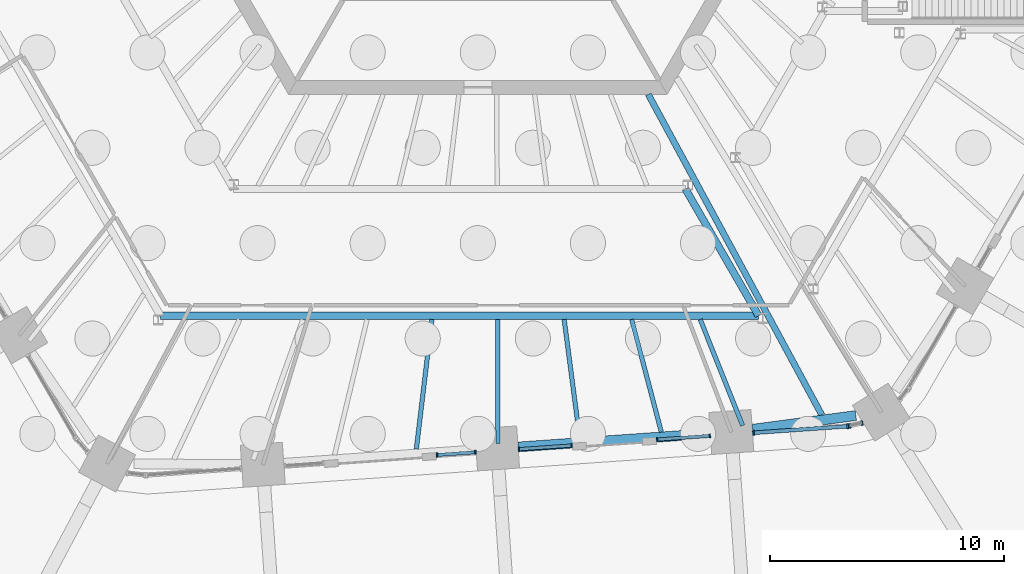
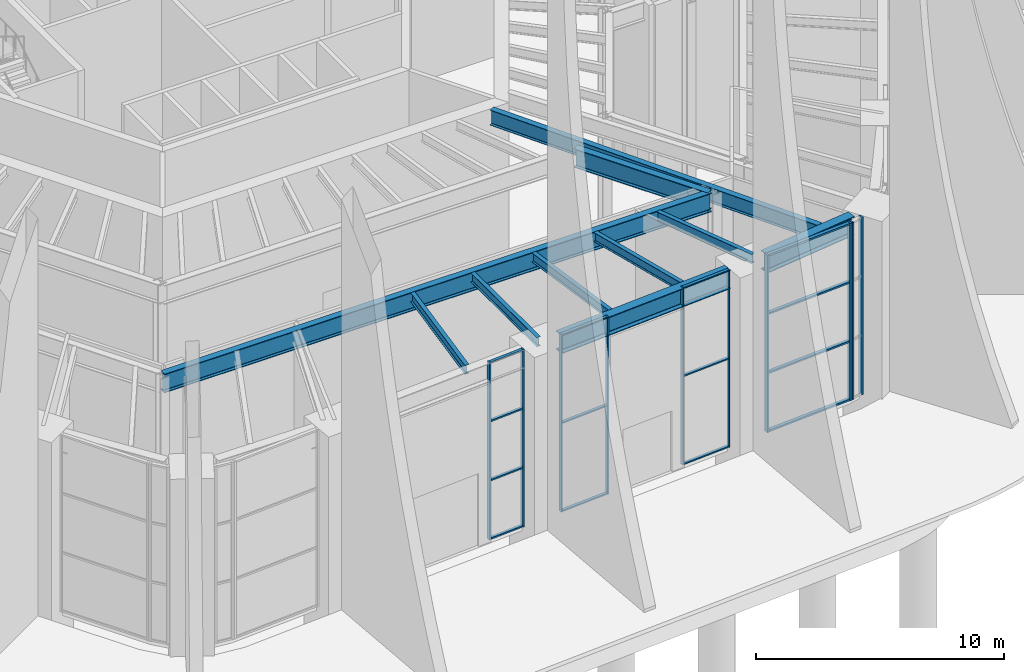
# One storey, part 6 of 43: 24 members, 10 beams, 5 elements without a shape of their own.
"""IFC4 building model written with IfcOpenShell, lengths in metres."""

from ifc_helpers import new_model, si_unit, direction, frame, origin, origin_2d, place, context, subcontext, project, spatial, rectangle, i_section, extrude, material, material_profile, profile_set, type_object, element, aggregate, save


model = new_model("IFC4")

# Units and contexts
model_context = context("Model", 3, precision=1e-05, world=origin(), true_north=direction((0.0, 1.0)))
body_context = subcontext(model_context, "Body", "Model", "MODEL_VIEW")
ifc_project = project(units=[si_unit("LENGTHUNIT", "METRE"), si_unit("AREAUNIT", "SQUARE_METRE"), si_unit("VOLUMEUNIT", "CUBIC_METRE"), si_unit("PLANEANGLEUNIT", "RADIAN"), si_unit("MASSUNIT", "GRAM", prefix="KILO")], contexts=[model_context])

# Site, building, storey
site_placement = place(None, origin())
site = spatial("IfcSite", under=ifc_project, at=site_placement, CompositionType="ELEMENT")
building_placement = place(site_placement, origin())
building = spatial("IfcBuilding", under=site, at=building_placement, Name="Tarnside Tower", CompositionType="ELEMENT")
storey_placement = place(building_placement, origin())
storey = spatial("IfcBuildingStorey", under=building, at=storey_placement, Name="L00", CompositionType="ELEMENT", Elevation=0.0)

# Beams
ifc_material_1 = material(Name="Steel S355", Category="steel")
ifc_material_profile_1 = material_profile(ifc_material_1, i_section(OverallWidth=0.18994140625, OverallDepth=0.453369140625, WebThickness=0.008544921875, FlangeThickness=0.0126953125, FilletRadius=0.01025390625, at=origin_2d()), Name="UB 457x191x67")
ifc_profile_set_1 = profile_set([ifc_material_profile_1], Name="Steel S355")
beam_type_1 = type_object("IfcBeamType", Name="Floor beam UB 457x191x67", PredefinedType="BEAM", material=ifc_profile_set_1)
beam_1_placement = place(storey_placement, frame((-2.62451171875, -29.143798828125, 8.523193359375), z_axis=(0.119053711841, 0.992887815263, 0.0), x_axis=(-0.992887815263, 0.119053711841, 0.0)))
element("IfcBeam", 1, at=beam_1_placement, inside=storey, type_object=beam_type_1, Name="Floor beam F4.04a", PredefinedType="BEAM", context=body_context, shape_type="SweptSolid", body=[
    extrude(i_section(OverallWidth=0.18994140625, OverallDepth=0.453369140625, WebThickness=0.008544921875, FlangeThickness=0.0126953125, FilletRadius=0.01025390625, at=origin_2d()), origin(), (0.0, 0.0, 1.0), 5.57568359375),
])
beam_2_placement = place(storey_placement, frame((0.8623046875, -28.89990234375, 8.523193359375), z_axis=(-0.003644391538, 0.999993359183, 0.0), x_axis=(-0.999993359183, -0.003644391538, 0.0)))
element("IfcBeam", 2, at=beam_2_placement, inside=storey, type_object=beam_type_1, Name="Floor beam F4.05a", PredefinedType="BEAM", context=body_context, shape_type="SweptSolid", body=[
    extrude(i_section(OverallWidth=0.18994140625, OverallDepth=0.453369140625, WebThickness=0.008544921875, FlangeThickness=0.0126953125, FilletRadius=0.01025390625, at=origin_2d()), origin(), (0.0, 0.0, 1.0), 5.292236328125),
])
beam_3_placement = place(storey_placement, frame((4.34765625, -28.65625, 8.523193359375), z_axis=(-0.130081173273, 0.991503347629, 0.0), x_axis=(-0.991503347629, -0.130081173273, 0.0)))
element("IfcBeam", 3, at=beam_3_placement, inside=storey, type_object=beam_type_1, Name="Floor beam F4.06a", PredefinedType="BEAM", context=body_context, shape_type="SweptSolid", body=[
    extrude(i_section(OverallWidth=0.18994140625, OverallDepth=0.453369140625, WebThickness=0.008544921875, FlangeThickness=0.0126953125, FilletRadius=0.01025390625, at=origin_2d()), origin(), (0.0, 0.0, 1.0), 5.091796875),
])
beam_4_placement = place(storey_placement, frame((7.83154296875, -28.41259765625, 8.523193359375), z_axis=(-0.254299789302, 0.967125440241, 0.0), x_axis=(-0.967125440241, -0.254299789302, 0.0)))
element("IfcBeam", 4, at=beam_4_placement, inside=storey, type_object=beam_type_1, Name="Floor beam F4.07a", PredefinedType="BEAM", context=body_context, shape_type="SweptSolid", body=[
    extrude(i_section(OverallWidth=0.18994140625, OverallDepth=0.453369140625, WebThickness=0.008544921875, FlangeThickness=0.0126953125, FilletRadius=0.01025390625, at=origin_2d()), origin(), (0.0, 0.0, 1.0), 4.96826171875),
])
beam_5_placement = place(storey_placement, frame((11.3017578125, -28.138671875, 8.523193359375), z_axis=(-0.370717588459, 0.928745643116, 0.0), x_axis=(-0.928745643116, -0.370717588459, 0.0)))
element("IfcBeam", 5, at=beam_5_placement, inside=storey, type_object=beam_type_1, Name="Floor beam F4.08a", PredefinedType="BEAM", context=body_context, shape_type="SweptSolid", body=[
    extrude(i_section(OverallWidth=0.18994140625, OverallDepth=0.453369140625, WebThickness=0.008544921875, FlangeThickness=0.0126953125, FilletRadius=0.01025390625, at=origin_2d()), origin(), (0.0, 0.0, 1.0), 4.878662109375),
])
ifc_material_profile_2 = material_profile(ifc_material_1, i_section(OverallWidth=0.26513671875, OverallDepth=0.75390625, WebThickness=0.0126953125, FlangeThickness=0.017578125, FilletRadius=0.0166015625, at=origin_2d()), Name="UB 762x267x147")
ifc_profile_set_2 = profile_set([ifc_material_profile_2], Name="Steel S355")
beam_type_2 = type_object("IfcBeamType", Name="Floor beam UB 762x267x147", PredefinedType="BEAM", material=ifc_profile_set_2)
beam_6_placement = place(storey_placement, frame((14.684814453125, -27.690673828125, 8.373046875), z_axis=(-0.476003739456, 0.879443255716, 0.0), x_axis=(-0.879443255716, -0.476003739456, 0.0)))
element("IfcBeam", 6, at=beam_6_placement, inside=storey, type_object=beam_type_2, Name="Floor beam F4.09", PredefinedType="BEAM", context=body_context, shape_type="SweptSolid", body=[
    extrude(i_section(OverallWidth=0.26513671875, OverallDepth=0.75390625, WebThickness=0.0126953125, FlangeThickness=0.017578125, FilletRadius=0.0166015625, at=origin_2d()), origin(), (0.0, 0.0, 1.0), 15.5673828125),
])

# Curtain wall, members
ifc_material_2 = material(Name="Lobby entrance glazing wall", Category="glass")
curtain_wall_type_1 = type_object("IfcCurtainWallType", Name="Lobby entrance glazing wall", PredefinedType="NOTDEFINED", material=ifc_material_2)
curtain_wall_1_placement = place(storey_placement, origin())
curtain_wall_1 = element("IfcCurtainWall", 7, at=curtain_wall_1_placement, inside=storey, type_object=curtain_wall_type_1, Name="Side light 12b", PredefinedType="NOTDEFINED")
ifc_material_3 = material(Name="Aluminium alloy 6063", Category="aluminium")
ifc_material_profile_3 = material_profile(ifc_material_3, rectangle(XDim=0.179931640625, YDim=0.070068359375, at=origin_2d()), Name="Lobby entrance glazing mullion 70 x 180")
ifc_profile_set_3 = profile_set([ifc_material_profile_3], Name="Aluminium alloy 6063")
member_type_1 = type_object("IfcMemberType", Name="Lobby entrance glazing mullion 70 x 180", PredefinedType="MULLION", material=ifc_profile_set_3)
member_1_placement = place(storey_placement, frame((-1.74169921875, -29.39306640625, 0.0), z_axis=(0.0, 0.0, 1.0), x_axis=(-0.069756473535, 0.997564050274, 0.0)))
member_1 = element("IfcMember", 8, at=member_1_placement, type_object=member_type_1, Name="CW3 mullion 1", PredefinedType="MULLION", context=body_context, shape_type="SweptSolid", body=[
    extrude(rectangle(XDim=0.179931640625, YDim=0.070068359375, at=origin_2d()), origin(), (0.0, 0.0, 1.0), 8.75),
])
member_2_placement = place(storey_placement, frame((-0.10400390625, -29.278564453125, 0.0), z_axis=(0.0, 0.0, 1.0), x_axis=(-0.069756473535, 0.997564050274, 0.0)))
member_2 = element("IfcMember", 9, at=member_2_placement, type_object=member_type_1, Name="CW3 mullion 2", PredefinedType="MULLION", context=body_context, shape_type="SweptSolid", body=[
    extrude(rectangle(XDim=0.179931640625, YDim=0.070068359375, at=origin_2d()), origin(), (0.0, 0.0, 1.0), 8.75),
])
ifc_material_profile_4 = material_profile(ifc_material_3, rectangle(XDim=0.139892578125, YDim=0.070068359375, at=origin_2d()), Name="Lobby entrance glazing transom 70 x 140")
ifc_profile_set_4 = profile_set([ifc_material_profile_4], Name="Aluminium alloy 6063")
member_type_2 = type_object("IfcMemberType", Name="Lobby entrance glazing transom 70 x 140", PredefinedType="USERDEFINED", material=ifc_profile_set_4)
member_3_placement = place(storey_placement, frame((-1.706787109375, -29.390625, 0.034912109375), z_axis=(0.997564806702, 0.06974565528, 0.0), x_axis=(-0.06974565528, 0.997564806702, 0.0)))
member_3 = element("IfcMember", 10, at=member_3_placement, type_object=member_type_2, Name="CW3 transom 1.1", ObjectType="TRANSOM", PredefinedType="USERDEFINED", context=body_context, shape_type="SweptSolid", body=[
    extrude(rectangle(XDim=0.139892578125, YDim=0.070068359375, at=origin_2d()), origin(), (0.0, 0.0, 1.0), 1.57177734375),
])
member_4_placement = place(storey_placement, frame((-1.706787109375, -29.390625, 2.916748046875), z_axis=(0.997564806702, 0.06974565528, 0.0), x_axis=(-0.06974565528, 0.997564806702, 0.0)))
member_4 = element("IfcMember", 11, at=member_4_placement, type_object=member_type_2, Name="CW3 transom 1.2", ObjectType="TRANSOM", PredefinedType="USERDEFINED", context=body_context, shape_type="SweptSolid", body=[
    extrude(rectangle(XDim=0.139892578125, YDim=0.070068359375, at=origin_2d()), origin(), (0.0, 0.0, 1.0), 1.57177734375),
])
member_5_placement = place(storey_placement, frame((-1.706787109375, -29.390625, 5.833251953125), z_axis=(0.997564806702, 0.06974565528, 0.0), x_axis=(-0.06974565528, 0.997564806702, 0.0)))
member_5 = element("IfcMember", 12, at=member_5_placement, type_object=member_type_2, Name="CW3 transom 1.3", ObjectType="TRANSOM", PredefinedType="USERDEFINED", context=body_context, shape_type="SweptSolid", body=[
    extrude(rectangle(XDim=0.139892578125, YDim=0.070068359375, at=origin_2d()), origin(), (0.0, 0.0, 1.0), 1.57177734375),
])
member_6_placement = place(storey_placement, frame((-1.706787109375, -29.390625, 8.715087890625), z_axis=(0.997564806702, 0.06974565528, 0.0), x_axis=(-0.06974565528, 0.997564806702, 0.0)))
member_6 = element("IfcMember", 13, at=member_6_placement, type_object=member_type_2, Name="CW3 transom 1.4", ObjectType="TRANSOM", PredefinedType="USERDEFINED", context=body_context, shape_type="SweptSolid", body=[
    extrude(rectangle(XDim=0.139892578125, YDim=0.070068359375, at=origin_2d()), origin(), (0.0, 0.0, 1.0), 1.57177734375),
])
aggregate(curtain_wall_1, [member_1, member_2, member_3, member_4, member_5, member_6])

# Beams
ifc_material_profile_5 = material_profile(ifc_material_1, i_section(OverallWidth=0.3076171875, OverallDepth=0.926513671875, WebThickness=0.01953125, FlangeThickness=0.031982421875, FilletRadius=0.01904296875, at=origin_2d()), Name="UB 914x305x289")
ifc_profile_set_5 = profile_set([ifc_material_profile_5], Name="Steel S355")
beam_type_3 = type_object("IfcBeamType", Name="Perimeter girder UB 914x305x289", PredefinedType="BEAM", material=ifc_profile_set_5)
beam_7_placement = place(storey_placement, frame((11.98681640625, -23.453857421875, 8.28662109375), z_axis=(-1.0, 0.0, 0.0), x_axis=(0.0, -1.0, 0.0)))
element("IfcBeam", 14, at=beam_7_placement, inside=storey, type_object=beam_type_3, Name="Perimeter girder T48", PredefinedType="BEAM", context=body_context, shape_type="SweptSolid", body=[
    extrude(i_section(OverallWidth=0.3076171875, OverallDepth=0.926513671875, WebThickness=0.01953125, FlangeThickness=0.031982421875, FilletRadius=0.01904296875, at=origin_2d()), origin(), (0.0, 0.0, 1.0), 25.52783203125),
])
beam_8_placement = place(storey_placement, frame((8.864501953125, -18.046142578125, 8.28662109375), z_axis=(0.500020277997, -0.866013695961, 0.0), x_axis=(0.866013695961, 0.500020277997, 0.0)))
element("IfcBeam", 15, at=beam_8_placement, inside=storey, type_object=beam_type_3, Name="Perimeter girder T61", PredefinedType="BEAM", context=body_context, shape_type="SweptSolid", body=[
    extrude(i_section(OverallWidth=0.3076171875, OverallDepth=0.926513671875, WebThickness=0.01953125, FlangeThickness=0.031982421875, FilletRadius=0.01904296875, at=origin_2d()), origin(), (0.0, 0.0, 1.0), 6.244384765625),
])
ifc_material_4 = material(Name="Steel S460", Category="steel")
ifc_material_profile_6 = material_profile(ifc_material_4, i_section(OverallWidth=0.42041015625, OverallDepth=0.9208984375, WebThickness=0.021484375, FlangeThickness=0.03662109375, FilletRadius=0.024169921875, at=origin_2d()), Name="UB 914x419x388")
ifc_profile_set_6 = profile_set([ifc_material_profile_6], Name="Steel S460")
beam_type_4 = type_object("IfcBeamType", Name="Perimeter girder UB 914x419x388", PredefinedType="BEAM", material=ifc_profile_set_6)
beam_9_placement = place(storey_placement, frame((1.719482421875, -29.05078125, 8.28955078125), z_axis=(0.99756353515, 0.069763839764, 0.0), x_axis=(-0.069763839764, 0.99756353515, 0.0)))
element("IfcBeam", 16, at=beam_9_placement, inside=storey, type_object=beam_type_4, Name="Perimeter girder M14", PredefinedType="BEAM", context=body_context, shape_type="SweptSolid", body=[
    extrude(i_section(OverallWidth=0.42041015625, OverallDepth=0.9208984375, WebThickness=0.021484375, FlangeThickness=0.03662109375, FilletRadius=0.024169921875, at=origin_2d()), origin(), (0.0, 0.0, 1.0), 8.223876953125),
])
beam_10_placement = place(storey_placement, frame((11.733154296875, -28.293701171875, 8.28955078125), z_axis=(0.991349927248, 0.13124527323, 0.0), x_axis=(-0.13124527323, 0.991349927248, 0.0)))
element("IfcBeam", 17, at=beam_10_placement, inside=storey, type_object=beam_type_4, Name="Perimeter girder M15", PredefinedType="BEAM", context=body_context, shape_type="SweptSolid", body=[
    extrude(i_section(OverallWidth=0.42041015625, OverallDepth=0.9208984375, WebThickness=0.021484375, FlangeThickness=0.03662109375, FilletRadius=0.024169921875, at=origin_2d()), origin(), (0.0, 0.0, 1.0), 4.440185546875),
])

# Curtain wall, members
ifc_material_5 = material(Name="Retail shopfront glazing wall", Category="glass")
curtain_wall_type_2 = type_object("IfcCurtainWallType", Name="Retail shopfront glazing wall", PredefinedType="NOTDEFINED", material=ifc_material_5)
curtain_wall_2_placement = place(storey_placement, origin())
curtain_wall_2 = element("IfcCurtainWall", 18, at=curtain_wall_2_placement, inside=storey, type_object=curtain_wall_type_2, Name="Side light 13a", PredefinedType="NOTDEFINED")
ifc_material_profile_7 = material_profile(ifc_material_3, rectangle(XDim=0.159912109375, YDim=0.06005859375, at=origin_2d()), Name="Retail shopfront glazing mullion 60 x 160")
ifc_profile_set_7 = profile_set([ifc_material_profile_7], Name="Aluminium alloy 6063")
member_type_3 = type_object("IfcMemberType", Name="Retail shopfront glazing mullion 60 x 160", PredefinedType="MULLION", material=ifc_profile_set_7)
member_7_placement = place(storey_placement, frame((1.756591796875, -29.1484375, 0.0), z_axis=(0.0, 0.0, 1.0), x_axis=(-0.069756473483, 0.997564050278, 0.0)))
member_7 = element("IfcMember", 19, at=member_7_placement, type_object=member_type_3, Name="CW2 mullion 1", PredefinedType="MULLION", context=body_context, shape_type="SweptSolid", body=[
    extrude(rectangle(XDim=0.159912109375, YDim=0.06005859375, at=origin_2d()), origin(), (0.0, 0.0, 1.0), 8.75),
])
member_8_placement = place(storey_placement, frame((4.0029296875, -28.991455078125, 0.0), z_axis=(0.0, 0.0, 1.0), x_axis=(-0.069756473483, 0.997564050278, 0.0)))
member_8 = element("IfcMember", 20, at=member_8_placement, type_object=member_type_3, Name="CW2 mullion 2", PredefinedType="MULLION", context=body_context, shape_type="SweptSolid", body=[
    extrude(rectangle(XDim=0.159912109375, YDim=0.06005859375, at=origin_2d()), origin(), (0.0, 0.0, 1.0), 8.75),
])

curtain_wall_3_placement = place(storey_placement, origin())
curtain_wall_3 = element("IfcCurtainWall", 21, at=curtain_wall_3_placement, inside=storey, type_object=curtain_wall_type_2, Name="Side light 13b", PredefinedType="NOTDEFINED")
member_9_placement = place(storey_placement, frame((7.654052734375, -28.736083984375, 0.0), z_axis=(0.0, 0.0, 1.0), x_axis=(-0.069756473918, 0.997564050248, 0.0)))
member_9 = element("IfcMember", 22, at=member_9_placement, type_object=member_type_3, Name="CW2 mullion 1", PredefinedType="MULLION", context=body_context, shape_type="SweptSolid", body=[
    extrude(rectangle(XDim=0.159912109375, YDim=0.06005859375, at=origin_2d()), origin(), (0.0, 0.0, 1.0), 8.75),
])
member_10_placement = place(storey_placement, frame((9.900390625, -28.5791015625, 0.0), z_axis=(0.0, 0.0, 1.0), x_axis=(-0.069756473918, 0.997564050248, 0.0)))
member_10 = element("IfcMember", 23, at=member_10_placement, type_object=member_type_3, Name="CW2 mullion 2", PredefinedType="MULLION", context=body_context, shape_type="SweptSolid", body=[
    extrude(rectangle(XDim=0.159912109375, YDim=0.06005859375, at=origin_2d()), origin(), (0.0, 0.0, 1.0), 8.75),
])

# Member
ifc_material_profile_8 = material_profile(ifc_material_3, rectangle(XDim=0.139892578125, YDim=0.06005859375, at=origin_2d()), Name="Retail shopfront glazing transom 60 x 140")
ifc_profile_set_8 = profile_set([ifc_material_profile_8], Name="Aluminium alloy 6063")
member_type_4 = type_object("IfcMemberType", Name="Retail shopfront glazing transom 60 x 140", PredefinedType="USERDEFINED", material=ifc_profile_set_8)
member_11_placement = place(storey_placement, frame((1.786376953125, -29.146484375, 0.030029296875), z_axis=(0.997558346391, 0.069837994996, 0.0), x_axis=(-0.069837994996, 0.997558346391, 0.0)))
member_11 = element("IfcMember", 24, at=member_11_placement, type_object=member_type_4, Name="CW2 transom 1.1", ObjectType="TRANSOM", PredefinedType="USERDEFINED", context=body_context, shape_type="SweptSolid", body=[
    extrude(rectangle(XDim=0.139892578125, YDim=0.06005859375, at=origin_2d()), origin(), (0.0, 0.0, 1.0), 2.19189453125),
])

member_12_placement = place(storey_placement, frame((1.786376953125, -29.146484375, 4.375), z_axis=(0.997558346391, 0.069837994996, 0.0), x_axis=(-0.069837994996, 0.997558346391, 0.0)))
member_12 = element("IfcMember", 25, at=member_12_placement, type_object=member_type_4, Name="CW2 transom 1.2", ObjectType="TRANSOM", PredefinedType="USERDEFINED", context=body_context, shape_type="SweptSolid", body=[
    extrude(rectangle(XDim=0.139892578125, YDim=0.06005859375, at=origin_2d()), origin(), (0.0, 0.0, 1.0), 2.19189453125),
])

member_13_placement = place(storey_placement, frame((1.786376953125, -29.146484375, 8.719970703125), z_axis=(0.997558346391, 0.069837994996, 0.0), x_axis=(-0.069837994996, 0.997558346391, 0.0)))
member_13 = element("IfcMember", 26, at=member_13_placement, type_object=member_type_4, Name="CW2 transom 1.3", ObjectType="TRANSOM", PredefinedType="USERDEFINED", context=body_context, shape_type="SweptSolid", body=[
    extrude(rectangle(XDim=0.139892578125, YDim=0.06005859375, at=origin_2d()), origin(), (0.0, 0.0, 1.0), 2.19189453125),
])

aggregate(curtain_wall_2, [member_7, member_8, member_11, member_12, member_13])

member_14_placement = place(storey_placement, frame((7.683837890625, -28.73388671875, 0.030029296875), z_axis=(0.997566100161, 0.069727152602, 0.0), x_axis=(-0.069727152602, 0.997566100161, 0.0)))
member_14 = element("IfcMember", 27, at=member_14_placement, type_object=member_type_4, Name="CW2 transom 1.1", ObjectType="TRANSOM", PredefinedType="USERDEFINED", context=body_context, shape_type="SweptSolid", body=[
    extrude(rectangle(XDim=0.139892578125, YDim=0.06005859375, at=origin_2d()), origin(), (0.0, 0.0, 1.0), 2.19189453125),
])

member_15_placement = place(storey_placement, frame((7.683837890625, -28.73388671875, 4.375), z_axis=(0.997566100161, 0.069727152602, 0.0), x_axis=(-0.069727152602, 0.997566100161, 0.0)))
member_15 = element("IfcMember", 28, at=member_15_placement, type_object=member_type_4, Name="CW2 transom 1.2", ObjectType="TRANSOM", PredefinedType="USERDEFINED", context=body_context, shape_type="SweptSolid", body=[
    extrude(rectangle(XDim=0.139892578125, YDim=0.06005859375, at=origin_2d()), origin(), (0.0, 0.0, 1.0), 2.19189453125),
])

member_16_placement = place(storey_placement, frame((7.683837890625, -28.73388671875, 8.719970703125), z_axis=(0.997566100161, 0.069727152602, 0.0), x_axis=(-0.069727152602, 0.997566100161, 0.0)))
member_16 = element("IfcMember", 29, at=member_16_placement, type_object=member_type_4, Name="CW2 transom 1.3", ObjectType="TRANSOM", PredefinedType="USERDEFINED", context=body_context, shape_type="SweptSolid", body=[
    extrude(rectangle(XDim=0.139892578125, YDim=0.06005859375, at=origin_2d()), origin(), (0.0, 0.0, 1.0), 2.19189453125),
])

aggregate(curtain_wall_3, [member_9, member_10, member_14, member_15, member_16])

# Curtain wall, members
ifc_material_6 = material(Name="Station concourse glazing wall", Category="glass")
curtain_wall_type_3 = type_object("IfcCurtainWallType", Name="Station concourse glazing wall", PredefinedType="NOTDEFINED", material=ifc_material_6)
curtain_wall_4_placement = place(storey_placement, origin())
curtain_wall_4 = element("IfcCurtainWall", 30, at=curtain_wall_4_placement, inside=storey, type_object=curtain_wall_type_3, Name="Station concourse glazing L00 14.0", PredefinedType="NOTDEFINED")
ifc_material_profile_9 = material_profile(ifc_material_3, rectangle(XDim=0.199951171875, YDim=0.080078125, at=origin_2d()), Name="Station concourse glazing mullion 80 x 200")
ifc_profile_set_9 = profile_set([ifc_material_profile_9], Name="Aluminium alloy 6063")
member_type_5 = type_object("IfcMemberType", Name="Station concourse glazing mullion 80 x 200", PredefinedType="MULLION", material=ifc_profile_set_9)
member_17_placement = place(storey_placement, frame((11.765625, -28.448486328125, 0.0), z_axis=(0.0, 0.0, 1.0), x_axis=(-0.069756473901, 0.997564050249, 0.0)))
member_17 = element("IfcMember", 31, at=member_17_placement, type_object=member_type_5, Name="CW1 mullion 1", PredefinedType="MULLION", context=body_context, shape_type="SweptSolid", body=[
    extrude(rectangle(XDim=0.199951171875, YDim=0.080078125, at=origin_2d()), origin(), (0.0, 0.0, 1.0), 8.75),
])
member_18_placement = place(storey_placement, frame((15.787841796875, -28.167236328125, 0.0), z_axis=(0.0, 0.0, 1.0), x_axis=(-0.069756473901, 0.997564050249, 0.0)))
member_18 = element("IfcMember", 32, at=member_18_placement, type_object=member_type_5, Name="CW1 mullion 2", PredefinedType="MULLION", context=body_context, shape_type="SweptSolid", body=[
    extrude(rectangle(XDim=0.199951171875, YDim=0.080078125, at=origin_2d()), origin(), (0.0, 0.0, 1.0), 8.75),
])

curtain_wall_5_placement = place(storey_placement, origin())
curtain_wall_5 = element("IfcCurtainWall", 33, at=curtain_wall_5_placement, inside=storey, type_object=curtain_wall_type_3, Name="Station concourse glazing L00 14.1", PredefinedType="NOTDEFINED")
member_19_placement = place(storey_placement, frame((15.882568359375, -28.15283203125, 0.0), z_axis=(0.0, 0.0, 1.0), x_axis=(-0.230615869191, 0.973044870947, 0.0)))
member_19 = element("IfcMember", 34, at=member_19_placement, type_object=member_type_5, Name="CW1 mullion 1", PredefinedType="MULLION", context=body_context, shape_type="SweptSolid", body=[
    extrude(rectangle(XDim=0.199951171875, YDim=0.080078125, at=origin_2d()), origin(), (0.0, 0.0, 1.0), 8.75),
])
member_20_placement = place(storey_placement, frame((16.396728515625, -28.031005859375, 0.0), z_axis=(0.0, 0.0, 1.0), x_axis=(-0.230615869191, 0.973044870947, 0.0)))
member_20 = element("IfcMember", 35, at=member_20_placement, type_object=member_type_5, Name="CW1 mullion 2", PredefinedType="MULLION", context=body_context, shape_type="SweptSolid", body=[
    extrude(rectangle(XDim=0.199951171875, YDim=0.080078125, at=origin_2d()), origin(), (0.0, 0.0, 1.0), 8.75),
])
aggregate(curtain_wall_5, [member_19, member_20])

# Member
ifc_material_profile_10 = material_profile(ifc_material_3, rectangle(XDim=0.159912109375, YDim=0.080078125, at=origin_2d()), Name="Station concourse glazing transom 80 x 160")
ifc_profile_set_10 = profile_set([ifc_material_profile_10], Name="Aluminium alloy 6063")
member_type_6 = type_object("IfcMemberType", Name="Station concourse glazing transom 80 x 160", PredefinedType="USERDEFINED", material=ifc_profile_set_10)
member_21_placement = place(storey_placement, frame((11.8056640625, -28.44580078125, 0.0400390625), z_axis=(0.997564515536, 0.069749819659, 0.0), x_axis=(-0.069749819659, 0.997564515536, 0.0)))
member_21 = element("IfcMember", 36, at=member_21_placement, type_object=member_type_6, Name="CW1 transom 1.1", ObjectType="TRANSOM", PredefinedType="USERDEFINED", context=body_context, shape_type="SweptSolid", body=[
    extrude(rectangle(XDim=0.159912109375, YDim=0.080078125, at=origin_2d()), origin(), (0.0, 0.0, 1.0), 3.95166015625),
])

member_22_placement = place(storey_placement, frame((11.8056640625, -28.44580078125, 2.916748046875), z_axis=(0.997564515536, 0.069749819659, 0.0), x_axis=(-0.069749819659, 0.997564515536, 0.0)))
member_22 = element("IfcMember", 37, at=member_22_placement, type_object=member_type_6, Name="CW1 transom 1.2", ObjectType="TRANSOM", PredefinedType="USERDEFINED", context=body_context, shape_type="SweptSolid", body=[
    extrude(rectangle(XDim=0.159912109375, YDim=0.080078125, at=origin_2d()), origin(), (0.0, 0.0, 1.0), 3.95166015625),
])

member_23_placement = place(storey_placement, frame((11.8056640625, -28.44580078125, 5.833251953125), z_axis=(0.997564515536, 0.069749819659, 0.0), x_axis=(-0.069749819659, 0.997564515536, 0.0)))
member_23 = element("IfcMember", 38, at=member_23_placement, type_object=member_type_6, Name="CW1 transom 1.3", ObjectType="TRANSOM", PredefinedType="USERDEFINED", context=body_context, shape_type="SweptSolid", body=[
    extrude(rectangle(XDim=0.159912109375, YDim=0.080078125, at=origin_2d()), origin(), (0.0, 0.0, 1.0), 3.95166015625),
])

member_24_placement = place(storey_placement, frame((11.8056640625, -28.44580078125, 8.7099609375), z_axis=(0.997564515536, 0.069749819659, 0.0), x_axis=(-0.069749819659, 0.997564515536, 0.0)))
member_24 = element("IfcMember", 39, at=member_24_placement, type_object=member_type_6, Name="CW1 transom 1.4", ObjectType="TRANSOM", PredefinedType="USERDEFINED", context=body_context, shape_type="SweptSolid", body=[
    extrude(rectangle(XDim=0.159912109375, YDim=0.080078125, at=origin_2d()), origin(), (0.0, 0.0, 1.0), 3.95166015625),
])

aggregate(curtain_wall_4, [member_17, member_18, member_21, member_22, member_23, member_24])

save(model, "model.ifc")
